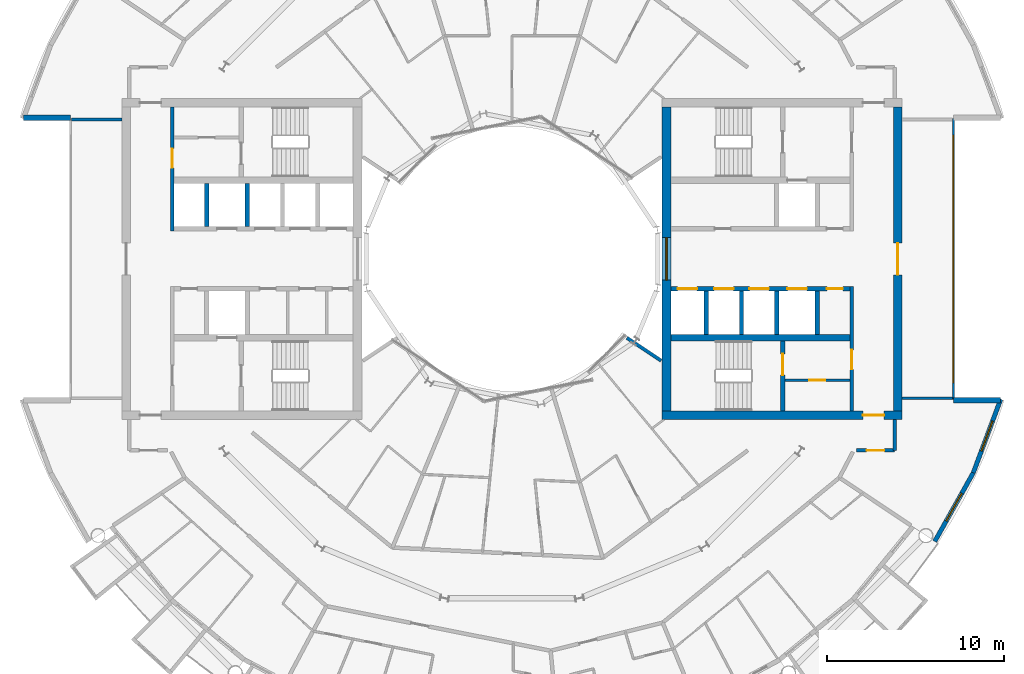
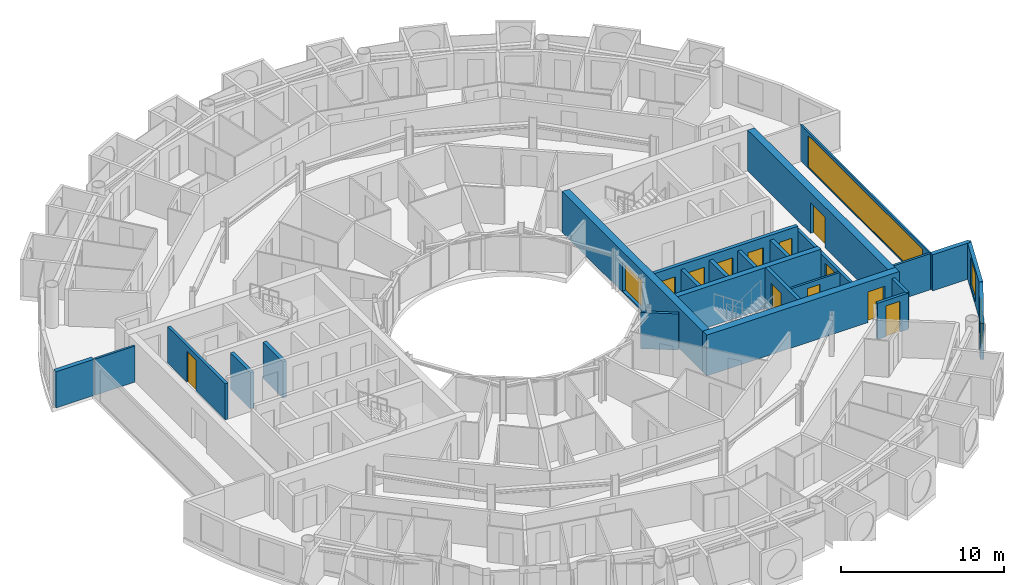
# One storey, part 18 of 27: 25 walls, 12 doors, 4 windows, 16 openings.
"""IFC4 building model written with IfcOpenShell, lengths in metres."""

from ifc_helpers import new_model, si_unit, direction, frame, frame_2d, origin, place, context, subcontext, project, spatial, rectangle, extrude, material, layer, layer_set, type_object, element, fill, save


model = new_model("IFC4")

# Units and contexts
model_context = context("Model", 3, precision=1e-05, world=origin(), true_north=direction((0.0, 1.0)))
body_context = subcontext(model_context, "Body", "Model", "MODEL_VIEW")
ifc_project = project(units=[si_unit("LENGTHUNIT", "METRE"), si_unit("AREAUNIT", "SQUARE_METRE"), si_unit("VOLUMEUNIT", "CUBIC_METRE"), si_unit("PLANEANGLEUNIT", "RADIAN"), si_unit("MASSUNIT", "GRAM", prefix="KILO")], contexts=[model_context])

# Site, building, storey
site_placement = place(None, origin())
site = spatial("IfcSite", under=ifc_project, at=site_placement, CompositionType="ELEMENT")
building_placement = place(site_placement, origin())
building = spatial("IfcBuilding", under=site, at=building_placement, Name="Maasbend Ring Residences", CompositionType="ELEMENT")
storey_placement = place(building_placement, frame((0.0, 0.0, 151.300048828125)))
storey = spatial("IfcBuildingStorey", under=building, at=storey_placement, Name="L43", CompositionType="ELEMENT", Elevation=151.300048828125)

# Wall, openings, doors
ifc_material_1 = material(Name="Concrete C60/75", Category="concrete")
ifc_layer_1 = layer(ifc_material_1, 0.25)
ifc_layer_set_1 = layer_set([ifc_layer_1], Name="Concrete C60/75")
wall_type_1 = type_object("IfcWallType", Name="CORE WALL 250 C60/75", PredefinedType="SHEAR", material=ifc_layer_set_1)
wall_1_placement = place(storey_placement, frame((19.14990234375, -1.699951171875, 0.0), z_axis=(0.0, 0.0, 1.0), x_axis=(-1.0, 0.0, 0.0)))
wall_1 = element("IfcWall", 1, at=wall_1_placement, inside=storey, type_object=wall_type_1, Name="L43 core E wall SPS", PredefinedType="SHEAR", context=body_context, shape_type="SweptSolid", body=[
    extrude(rectangle(XDim=10.14990234375, YDim=0.25, at=frame_2d((5.074951171875, 0.0))), origin(), (0.0, 0.0, 1.0), 3.050048828125),
])
opening_1_placement = place(wall_1_placement, frame((8.66259765625, 0.0, 0.0)))
opening_1 = element("IfcOpeningElement", 2, at=opening_1_placement, cuts=wall_1, Name="Opening LD-E4302", PredefinedType="OPENING", context=body_context, shape_type="SweptSolid", body=[
    extrude(rectangle(XDim=1.10009765625, YDim=2.300048828125, at=frame_2d((0.550048828125, 1.14990234375))), frame((0.0, 0.135009765625, 0.0), z_axis=(0.0, -1.0, 0.0), x_axis=(1.0, 0.0, 0.0)), (0.0, 0.0, 1.0), 0.27001953125),
])
opening_2_placement = place(wall_1_placement, frame((6.60009765625, 0.0, 0.0)))
opening_2 = element("IfcOpeningElement", 3, at=opening_2_placement, cuts=wall_1, Name="Opening LD-E4303", PredefinedType="OPENING", context=body_context, shape_type="SweptSolid", body=[
    extrude(rectangle(XDim=1.10009765625, YDim=2.300048828125, at=frame_2d((0.550048828125, 1.14990234375))), frame((0.0, 0.135009765625, 0.0), z_axis=(0.0, -1.0, 0.0), x_axis=(1.0, 0.0, 0.0)), (0.0, 0.0, 1.0), 0.27001953125),
])
opening_3_placement = place(wall_1_placement, frame((4.60009765625, 0.0, 0.0)))
opening_3 = element("IfcOpeningElement", 4, at=opening_3_placement, cuts=wall_1, Name="Opening LD-E4304", PredefinedType="OPENING", context=body_context, shape_type="SweptSolid", body=[
    extrude(rectangle(XDim=1.10009765625, YDim=2.300048828125, at=frame_2d((0.550048828125, 1.14990234375))), frame((0.0, 0.135009765625, 0.0), z_axis=(0.0, -1.0, 0.0), x_axis=(1.0, 0.0, 0.0)), (0.0, 0.0, 1.0), 0.27001953125),
])
opening_4_placement = place(wall_1_placement, frame((2.449951171875, 0.0, 0.0)))
opening_4 = element("IfcOpeningElement", 5, at=opening_4_placement, cuts=wall_1, Name="Opening LD-E4305", PredefinedType="OPENING", context=body_context, shape_type="SweptSolid", body=[
    extrude(rectangle(XDim=1.10009765625, YDim=2.300048828125, at=frame_2d((0.550048828125, 1.14990234375))), frame((0.0, 0.135009765625, 0.0), z_axis=(0.0, -1.0, 0.0), x_axis=(1.0, 0.0, 0.0)), (0.0, 0.0, 1.0), 0.27001953125),
])
opening_5_placement = place(wall_1_placement, frame((0.41259765625, 0.0, 0.0)))
opening_5 = element("IfcOpeningElement", 6, at=opening_5_placement, cuts=wall_1, Name="Opening D-E4308", PredefinedType="OPENING", context=body_context, shape_type="SweptSolid", body=[
    extrude(rectangle(XDim=0.89990234375, YDim=2.300048828125, at=frame_2d((0.449951171875, 1.14990234375))), frame((0.0, 0.135009765625, 0.0), z_axis=(0.0, -1.0, 0.0), x_axis=(1.0, 0.0, 0.0)), (0.0, 0.0, 1.0), 0.27001953125),
])
ifc_material_2 = material(Name="Stainless steel 316", Category="steel")
door_type_1 = type_object("IfcDoorType", Name="LANDING DOOR 1100 X 2300 FD60", OperationType="DOUBLE_DOOR_SLIDING", PredefinedType="DOOR", material=ifc_material_2)
door_1_placement = place(opening_1_placement, origin())
door_1 = element("IfcDoor", 7, at=door_1_placement, inside=storey, type_object=door_type_1, Name="Landing door HR-E1 L43", OperationType="DOUBLE_DOOR_SLIDING", OverallHeight=2.300048828125, OverallWidth=1.10009765625, PredefinedType="DOOR", context=body_context, shape_type="SweptSolid", body=[
    extrude(rectangle(XDim=1.10009765625, YDim=2.300048828125, at=frame_2d((0.550048828125, 1.14990234375))), frame((0.0, 0.02490234375, 0.0), z_axis=(0.0, -1.0, 0.0), x_axis=(1.0, 0.0, 0.0)), (0.0, 0.0, 1.0), 0.050048828125),
])
fill(opening_1, door_1)
door_2_placement = place(opening_2_placement, origin())
door_2 = element("IfcDoor", 8, at=door_2_placement, inside=storey, type_object=door_type_1, Name="Landing door HR-E2 L43", OperationType="DOUBLE_DOOR_SLIDING", OverallHeight=2.300048828125, OverallWidth=1.10009765625, PredefinedType="DOOR", context=body_context, shape_type="SweptSolid", body=[
    extrude(rectangle(XDim=1.10009765625, YDim=2.300048828125, at=frame_2d((0.550048828125, 1.14990234375))), frame((0.0, 0.02490234375, 0.0), z_axis=(0.0, -1.0, 0.0), x_axis=(1.0, 0.0, 0.0)), (0.0, 0.0, 1.0), 0.050048828125),
])
fill(opening_2, door_2)
door_3_placement = place(opening_3_placement, origin())
door_3 = element("IfcDoor", 9, at=door_3_placement, inside=storey, type_object=door_type_1, Name="Landing door HR-E3 L43", OperationType="DOUBLE_DOOR_SLIDING", OverallHeight=2.300048828125, OverallWidth=1.10009765625, PredefinedType="DOOR", context=body_context, shape_type="SweptSolid", body=[
    extrude(rectangle(XDim=1.10009765625, YDim=2.300048828125, at=frame_2d((0.550048828125, 1.14990234375))), frame((0.0, 0.02490234375, 0.0), z_axis=(0.0, -1.0, 0.0), x_axis=(1.0, 0.0, 0.0)), (0.0, 0.0, 1.0), 0.050048828125),
])
fill(opening_3, door_3)
door_4_placement = place(opening_4_placement, origin())
door_4 = element("IfcDoor", 10, at=door_4_placement, inside=storey, type_object=door_type_1, Name="Landing door SV-E L43", OperationType="DOUBLE_DOOR_SLIDING", OverallHeight=2.300048828125, OverallWidth=1.10009765625, PredefinedType="DOOR", context=body_context, shape_type="SweptSolid", body=[
    extrude(rectangle(XDim=1.10009765625, YDim=2.300048828125, at=frame_2d((0.550048828125, 1.14990234375))), frame((0.0, 0.02490234375, 0.0), z_axis=(0.0, -1.0, 0.0), x_axis=(1.0, 0.0, 0.0)), (0.0, 0.0, 1.0), 0.050048828125),
])
fill(opening_4, door_4)
ifc_material_3 = material(Name="Steel, powder coated", Category="steel")
door_type_2 = type_object("IfcDoorType", Name="ROOM DOOR 900 X 2300 FD30S", OperationType="NOTDEFINED", PredefinedType="DOOR", material=ifc_material_3)
door_5_placement = place(opening_5_placement, origin())
door_5 = element("IfcDoor", 11, at=door_5_placement, inside=storey, type_object=door_type_2, Name="Room door L43", OperationType="SINGLE_SWING_RIGHT", OverallHeight=2.300048828125, OverallWidth=0.89990234375, PredefinedType="DOOR", context=body_context, shape_type="SweptSolid", body=[
    extrude(rectangle(XDim=0.89990234375, YDim=2.300048828125, at=frame_2d((0.449951171875, 1.14990234375))), frame((0.0, 0.02490234375, 0.0), z_axis=(0.0, -1.0, 0.0), x_axis=(1.0, 0.0, 0.0)), (0.0, 0.0, 1.0), 0.050048828125),
])
fill(opening_5, door_5)

# Wall, opening, door
wall_2_placement = place(storey_placement, frame((15.324951171875, -8.60009765625, 0.0), z_axis=(0.0, 0.0, 1.0), x_axis=(0.0, 1.0, 0.0)))
wall_2 = element("IfcWall", 12, at=wall_2_placement, inside=storey, type_object=wall_type_1, Name="L43 core E wall STES", PredefinedType="SHEAR", context=body_context, shape_type="SweptSolid", body=[
    extrude(rectangle(XDim=3.9501953125, YDim=0.25, at=frame_2d((1.97509765625, 0.0))), origin(), (0.0, 0.0, 1.0), 3.050048828125),
])
opening_6_placement = place(wall_2_placement, frame((2.02490234375, 0.0, 0.0)))
opening_6 = element("IfcOpeningElement", 13, at=opening_6_placement, cuts=wall_2, Name="Opening D-E4311", PredefinedType="OPENING", context=body_context, shape_type="SweptSolid", body=[
    extrude(rectangle(XDim=1.199951171875, YDim=2.300048828125, at=frame_2d((0.60009765625, 1.14990234375))), frame((0.0, 0.135009765625, 0.0), z_axis=(0.0, -1.0, 0.0), x_axis=(1.0, 0.0, 0.0)), (0.0, 0.0, 1.0), 0.27001953125),
])
ifc_material_4 = material(Name="Steel, powder coated", Category="steel")
door_type_3 = type_object("IfcDoorType", Name="STAIR DOOR 1200 X 2300 FD60", OperationType="NOTDEFINED", PredefinedType="DOOR", material=ifc_material_4)
door_6_placement = place(opening_6_placement, origin())
door_6 = element("IfcDoor", 14, at=door_6_placement, inside=storey, type_object=door_type_3, Name="Stair door ST-E L43", OperationType="SINGLE_SWING_LEFT", OverallHeight=2.300048828125, OverallWidth=1.199951171875, PredefinedType="DOOR", context=body_context, shape_type="SweptSolid", body=[
    extrude(rectangle(XDim=1.199951171875, YDim=2.300048828125, at=frame_2d((0.60009765625, 1.14990234375))), frame((0.0, 0.02490234375, 0.0), z_axis=(0.0, -1.0, 0.0), x_axis=(1.0, 0.0, 0.0)), (0.0, 0.0, 1.0), 0.050048828125),
])
fill(opening_6, door_6)

# Wall
ifc_material_5 = material(Name="Concrete C60/75", Category="concrete")
ifc_layer_2 = layer(ifc_material_5, 0.375)
ifc_layer_set_2 = layer_set([ifc_layer_2], Name="Concrete C60/75")
wall_type_2 = type_object("IfcWallType", Name="CORE WALL 375 C60/75", PredefinedType="SHEAR", material=ifc_layer_set_2)
wall_3_placement = place(storey_placement, frame((9.0, -4.46240234375, 0.0), z_axis=(0.0, 0.0, 1.0), x_axis=(1.0, 0.0, 0.0)))
element("IfcWall", 15, at=wall_3_placement, inside=storey, type_object=wall_type_2, Name="L43 core E wall BS", PredefinedType="SHEAR", context=body_context, shape_type="SweptSolid", body=[
    extrude(rectangle(XDim=10.14990234375, YDim=0.375, at=frame_2d((5.074951171875, 0.0))), origin(), (0.0, 0.0, 1.0), 3.050048828125),
])

# Wall, opening, door
ifc_material_6 = material(Name="Concrete C60/75", Category="concrete")
ifc_layer_3 = layer(ifc_material_6, 0.5)
ifc_layer_set_3 = layer_set([ifc_layer_3], Name="Concrete C60/75")
wall_type_3 = type_object("IfcWallType", Name="CORE WALL 500 C60/75", PredefinedType="SHEAR", material=ifc_layer_set_3)
wall_4_placement = place(storey_placement, frame((8.5, -8.85009765625, 0.0), z_axis=(0.0, 0.0, 1.0), x_axis=(1.0, 0.0, 0.0)))
wall_4 = element("IfcWall", 16, at=wall_4_placement, inside=storey, type_object=wall_type_3, Name="L43 core E wall PS", PredefinedType="SHEAR", context=body_context, shape_type="SweptSolid", body=[
    extrude(rectangle(XDim=13.60009765625, YDim=0.5, at=frame_2d((6.800048828125, 0.0))), origin(), (0.0, 0.0, 1.0), 3.050048828125),
])
opening_7_placement = place(wall_4_placement, frame((11.375, 0.0, 0.0)))
opening_7 = element("IfcOpeningElement", 17, at=opening_7_placement, cuts=wall_4, Name="Opening D-E4315", PredefinedType="OPENING", context=body_context, shape_type="SweptSolid", body=[
    extrude(rectangle(XDim=1.199951171875, YDim=2.300048828125, at=frame_2d((0.60009765625, 1.14990234375))), frame((0.0, 0.260009765625, 0.0), z_axis=(0.0, -1.0, 0.0), x_axis=(1.0, 0.0, 0.0)), (0.0, 0.0, 1.0), 0.52001953125),
])
ifc_material_7 = material(Name="Steel, powder coated", Category="steel")
door_type_4 = type_object("IfcDoorType", Name="CORRIDOR DOOR 1200 X 2300 FD30S", OperationType="NOTDEFINED", PredefinedType="DOOR", material=ifc_material_7)
door_7_placement = place(opening_7_placement, origin())
door_7 = element("IfcDoor", 18, at=door_7_placement, inside=storey, type_object=door_type_4, Name="Corridor door L43", OperationType="SINGLE_SWING_LEFT", OverallHeight=2.300048828125, OverallWidth=1.199951171875, PredefinedType="DOOR", context=body_context, shape_type="SweptSolid", body=[
    extrude(rectangle(XDim=1.199951171875, YDim=2.300048828125, at=frame_2d((0.60009765625, 1.14990234375))), frame((0.0, 0.02490234375, 0.0), z_axis=(0.0, -1.0, 0.0), x_axis=(1.0, 0.0, 0.0)), (0.0, 0.0, 1.0), 0.050048828125),
])
fill(opening_7, door_7)

wall_5_placement = place(storey_placement, frame((21.85009765625, 8.60009765625, 0.0), z_axis=(0.0, 0.0, 1.0), x_axis=(0.0, -1.0, 0.0)))
wall_5 = element("IfcWall", 19, at=wall_5_placement, inside=storey, type_object=wall_type_3, Name="L43 core E wall POUT", PredefinedType="SHEAR", context=body_context, shape_type="SweptSolid", body=[
    extrude(rectangle(XDim=17.2001953125, YDim=0.5, at=frame_2d((8.60009765625, 0.0))), origin(), (0.0, 0.0, 1.0), 3.050048828125),
])
opening_8_placement = place(wall_5_placement, frame((7.699951171875, 0.0, 0.0)))
opening_8 = element("IfcOpeningElement", 20, at=opening_8_placement, cuts=wall_5, Name="Opening D-E4316", PredefinedType="OPENING", context=body_context, shape_type="SweptSolid", body=[
    extrude(rectangle(XDim=1.800048828125, YDim=2.300048828125, at=frame_2d((0.89990234375, 1.14990234375))), frame((0.0, 0.260009765625, 0.0), z_axis=(0.0, -1.0, 0.0), x_axis=(1.0, 0.0, 0.0)), (0.0, 0.0, 1.0), 0.52001953125),
])
ifc_material_8 = material(Name="Aluminium frame, clear glass", Category="aluminium")
door_type_5 = type_object("IfcDoorType", Name="ENTRANCE DOOR 1800 X 2300 FD60", OperationType="NOTDEFINED", PredefinedType="DOOR", material=ifc_material_8)
door_8_placement = place(opening_8_placement, origin())
door_8 = element("IfcDoor", 21, at=door_8_placement, inside=storey, type_object=door_type_5, Name="Lobby glazed door L43", OperationType="SINGLE_SWING_LEFT", OverallHeight=2.300048828125, OverallWidth=1.800048828125, PredefinedType="DOOR", context=body_context, shape_type="SweptSolid", body=[
    extrude(rectangle(XDim=1.800048828125, YDim=2.300048828125, at=frame_2d((0.89990234375, 1.14990234375))), frame((0.0, 0.02490234375, 0.0), z_axis=(0.0, -1.0, 0.0), x_axis=(1.0, 0.0, 0.0)), (0.0, 0.0, 1.0), 0.050048828125),
])
fill(opening_8, door_8)

# Wall, opening, window
wall_6_placement = place(storey_placement, frame((8.75, -8.60009765625, 0.0), z_axis=(0.0, 0.0, 1.0), x_axis=(0.0, 1.0, 0.0)))
wall_6 = element("IfcWall", 22, at=wall_6_placement, inside=storey, type_object=wall_type_3, Name="L43 core E wall PIN", PredefinedType="SHEAR", context=body_context, shape_type="SweptSolid", body=[
    extrude(rectangle(XDim=17.2001953125, YDim=0.5, at=frame_2d((8.60009765625, 0.0))), origin(), (0.0, 0.0, 1.0), 3.050048828125),
])
opening_9_placement = place(wall_6_placement, frame((7.39990234375, 0.0, 0.10009765625)))
opening_9 = element("IfcOpeningElement", 23, at=opening_9_placement, cuts=wall_6, Name="Opening W-E4301", PredefinedType="OPENING", context=body_context, shape_type="SweptSolid", body=[
    extrude(rectangle(XDim=2.39990234375, YDim=2.199951171875, at=frame_2d((1.199951171875, 1.10009765625))), frame((0.0, 0.260009765625, 0.0), z_axis=(0.0, -1.0, 0.0), x_axis=(1.0, 0.0, 0.0)), (0.0, 0.0, 1.0), 0.52001953125),
])
ifc_material_9 = material(Name="Aluminium frame and clear glass", Category="aluminium")
window_type_1 = type_object("IfcWindowType", Name="FIXED WINDOW 2400 X 2200", PartitioningType="SINGLE_PANEL", PredefinedType="WINDOW", material=ifc_material_9)
window_1_placement = place(opening_9_placement, origin())
window_1 = element("IfcWindow", 24, at=window_1_placement, inside=storey, type_object=window_type_1, Name="Lobby window L43", OverallHeight=2.199951171875, OverallWidth=2.39990234375, PartitioningType="SINGLE_PANEL", PredefinedType="WINDOW", context=body_context, shape_type="SweptSolid", body=[
    extrude(rectangle(XDim=2.39990234375, YDim=2.199951171875, at=frame_2d((1.199951171875, 1.10009765625))), frame((0.0, 0.030029296875, 0.0), z_axis=(0.0, -1.0, 0.0), x_axis=(1.0, 0.0, 0.0)), (0.0, 0.0, 1.0), 0.06005859375),
])
fill(opening_9, window_1)

# Wall
ifc_material_10 = material(Name="Concrete C30/37", Category="concrete")
ifc_layer_4 = layer(ifc_material_10, 0.199951171875)
ifc_layer_set_4 = layer_set([ifc_layer_4], Name="Concrete C30/37")
wall_type_4 = type_object("IfcWallType", Name="CORRIDOR WALL 200 CONCRETE", PredefinedType="PARTITIONING", material=ifc_layer_set_4)
wall_7_placement = place(storey_placement, frame((21.675048828125, -10.85009765625, 0.0), z_axis=(0.0, 0.0, 1.0), x_axis=(0.0, 1.0, 0.0)))
element("IfcWall", 25, at=wall_7_placement, inside=storey, type_object=wall_type_4, Name="U-L43-w012", PredefinedType="PARTITIONING", context=body_context, shape_type="SweptSolid", body=[
    extrude(rectangle(XDim=1.75, YDim=0.199951171875, at=frame_2d((0.875, 0.0))), origin(), (0.0, 0.0, 1.0), 2.699951171875),
])

# Wall, opening, door
wall_8_placement = place(storey_placement, frame((19.50390625, -10.85009765625, 0.0), z_axis=(0.0, 0.0, 1.0), x_axis=(1.0, 0.0, 0.0)))
wall_8 = element("IfcWall", 26, at=wall_8_placement, inside=storey, type_object=wall_type_4, Name="U-L43-w027", PredefinedType="PARTITIONING", context=body_context, shape_type="SweptSolid", body=[
    extrude(rectangle(XDim=2.171142578125, YDim=0.199951171875, at=frame_2d((1.08544921875, 0.0))), origin(), (0.0, 0.0, 1.0), 2.699951171875),
])
opening_10_placement = place(wall_8_placement, frame((0.5849609375, 0.0, 0.0)))
opening_10 = element("IfcOpeningElement", 27, at=opening_10_placement, cuts=wall_8, Name="Opening D-4366", PredefinedType="OPENING", context=body_context, shape_type="SweptSolid", body=[
    extrude(rectangle(XDim=1.0, YDim=2.300048828125, at=frame_2d((0.5, 1.14990234375))), frame((0.0, 0.10986328125, 0.0), z_axis=(0.0, -1.0, 0.0), x_axis=(1.0, 0.0, 0.0)), (0.0, 0.0, 1.0), 0.219970703125),
])
ifc_material_11 = material(Name="Timber, painted", Category="wood")
door_type_6 = type_object("IfcDoorType", Name="ROOM DOOR 1000 X 2300", OperationType="NOTDEFINED", PredefinedType="DOOR", material=ifc_material_11)
door_9_placement = place(opening_10_placement, origin())
door_9 = element("IfcDoor", 28, at=door_9_placement, inside=storey, type_object=door_type_6, Name="D-4366", OperationType="SINGLE_SWING_LEFT", OverallHeight=2.300048828125, OverallWidth=1.0, PredefinedType="DOOR", context=body_context, shape_type="SweptSolid", body=[
    extrude(rectangle(XDim=1.0, YDim=2.300048828125, at=frame_2d((0.5, 1.14990234375))), frame((0.0, 0.02490234375, 0.0), z_axis=(0.0, -1.0, 0.0), x_axis=(1.0, 0.0, 0.0)), (0.0, 0.0, 1.0), 0.050048828125),
])
fill(opening_10, door_9)

# Wall, opening, window
ifc_material_12 = material(Name="Aluminium clad insulated panel", Category="aluminium")
ifc_layer_5 = layer(ifc_material_12, 0.25)
ifc_layer_set_5 = layer_set([ifc_layer_5], Name="EW-HORN")
wall_type_5 = type_object("IfcWallType", Name="EW-HORN", PredefinedType="SOLIDWALL", material=ifc_layer_set_5)
wall_9_placement = place(storey_placement, frame((23.946044921875, -16.0, 0.0), z_axis=(0.0, 0.0, 1.0), x_axis=(0.489696356642, 0.871893042919, 0.0)))
wall_9 = element("IfcWall", 29, at=wall_9_placement, inside=storey, type_object=wall_type_5, Name="Horn wall 2.1", PredefinedType="SOLIDWALL", context=body_context, shape_type="SweptSolid", body=[
    extrude(rectangle(XDim=4.45361328125, YDim=0.25, at=frame_2d((2.226806640625, 0.0))), origin(), (0.0, 0.0, 1.0), 2.699951171875),
])
opening_11_placement = place(wall_9_placement, frame((1.32666015625, 0.0, 0.300048828125)))
opening_11 = element("IfcOpeningElement", 30, at=opening_11_placement, cuts=wall_9, Name="Opening W-BX", PredefinedType="OPENING", context=body_context, shape_type="SweptSolid", body=[
    extrude(rectangle(XDim=1.800048828125, YDim=2.10009765625, at=frame_2d((0.89990234375, 1.050048828125))), frame((0.0, 0.135009765625, 0.0), z_axis=(0.0, -1.0, 0.0), x_axis=(1.0, 0.0, 0.0)), (0.0, 0.0, 1.0), 0.27001953125),
])
ifc_material_13 = material(Name="Aluminium and clear glass", Category="aluminium")
window_type_2 = type_object("IfcWindowType", Name="W-BX", PartitioningType="DOUBLE_PANEL_VERTICAL", PredefinedType="WINDOW", material=ifc_material_13)
window_2_placement = place(opening_11_placement, origin())
window_2 = element("IfcWindow", 31, at=window_2_placement, inside=storey, type_object=window_type_2, Name="Horn window 2.1", OverallHeight=2.10009765625, OverallWidth=1.800048828125, PartitioningType="SINGLE_PANEL", PredefinedType="WINDOW", context=body_context, shape_type="SweptSolid", body=[
    extrude(rectangle(XDim=1.800048828125, YDim=2.10009765625, at=frame_2d((0.89990234375, 1.050048828125))), frame((0.0, 0.030029296875, 0.0), z_axis=(0.0, -1.0, 0.0), x_axis=(1.0, 0.0, 0.0)), (0.0, 0.0, 1.0), 0.06005859375),
])
fill(opening_11, window_2)

wall_10_placement = place(storey_placement, frame((26.126953125, -12.116943359375, 0.0), z_axis=(0.0, 0.0, 1.0), x_axis=(0.349247811493, 0.937030397675, 0.0)))
wall_10 = element("IfcWall", 32, at=wall_10_placement, inside=storey, type_object=wall_type_5, Name="Horn wall 2.2", PredefinedType="SOLIDWALL", context=body_context, shape_type="SweptSolid", body=[
    extrude(rectangle(XDim=4.4521484375, YDim=0.25, at=frame_2d((2.22607421875, 0.0))), origin(), (0.0, 0.0, 1.0), 2.699951171875),
])
opening_12_placement = place(wall_10_placement, frame((1.32666015625, 0.0, 0.300048828125)))
opening_12 = element("IfcOpeningElement", 33, at=opening_12_placement, cuts=wall_10, Name="Opening W-BX", PredefinedType="OPENING", context=body_context, shape_type="SweptSolid", body=[
    extrude(rectangle(XDim=1.800048828125, YDim=2.10009765625, at=frame_2d((0.89990234375, 1.050048828125))), frame((0.0, 0.135009765625, 0.0), z_axis=(0.0, -1.0, 0.0), x_axis=(1.0, 0.0, 0.0)), (0.0, 0.0, 1.0), 0.27001953125),
])
window_3_placement = place(opening_12_placement, origin())
window_3 = element("IfcWindow", 34, at=window_3_placement, inside=storey, type_object=window_type_2, Name="Horn window 2.2", OverallHeight=2.10009765625, OverallWidth=1.800048828125, PartitioningType="SINGLE_PANEL", PredefinedType="WINDOW", context=body_context, shape_type="SweptSolid", body=[
    extrude(rectangle(XDim=1.800048828125, YDim=2.10009765625, at=frame_2d((0.89990234375, 1.050048828125))), frame((0.0, 0.030029296875, 0.0), z_axis=(0.0, -1.0, 0.0), x_axis=(1.0, 0.0, 0.0)), (0.0, 0.0, 1.0), 0.06005859375),
])
fill(opening_12, window_3)

# Walls
ifc_material_14 = material(Name="Aluminium clad insulated panel", Category="aluminium")
ifc_layer_6 = layer(ifc_material_14, 0.300048828125)
ifc_layer_set_6 = layer_set([ifc_layer_6], Name="EW-RET")
wall_type_6 = type_object("IfcWallType", Name="EW-RET", PredefinedType="SOLIDWALL", material=ifc_layer_set_6)
for number, where, z_axis, x_axis, name in (
    (35, (25.0, -8.0, 0.0), (0.0, 0.0, 1.0), (1.0, 0.0, 0.0), "Notch return wall east south"),
    (36, (-25.0, 8.0, 0.0), (0.0, 0.0, 1.0), (-1.0, 0.0, 0.0), "Notch return wall west north"),
):
    element("IfcWall", number, at=place(storey_placement, frame(where, z_axis=z_axis, x_axis=x_axis)), inside=storey, type_object=wall_type_6, Name=name, PredefinedType="SOLIDWALL", context=body_context, shape_type="SweptSolid", body=[
        extrude(rectangle(XDim=2.6669921875, YDim=0.300048828125, at=frame_2d((1.33349609375, 0.0))), origin(), (0.0, 0.0, 1.0), 2.699951171875),
    ])

# Wall, opening, window
ifc_material_15 = material(Name="Aluminium frame and clear glass", Category="aluminium")
ifc_layer_7 = layer(ifc_material_15, 0.1201171875)
ifc_layer_set_7 = layer_set([ifc_layer_7], Name="GLAZED SCREEN WALL 120 EI 60")
wall_type_7 = type_object("IfcWallType", Name="GLAZED SCREEN WALL 120 EI 60", PredefinedType="PARTITIONING", material=ifc_layer_set_7)
wall_11_placement = place(storey_placement, frame((25.0, -7.949951171875, 0.0), z_axis=(0.0, 0.0, 1.0), x_axis=(0.0, 1.0, 0.0)))
wall_11 = element("IfcWall", 37, at=wall_11_placement, inside=storey, type_object=wall_type_7, Name="L43 core E wall FACE", PredefinedType="PARTITIONING", context=body_context, shape_type="SweptSolid", body=[
    extrude(rectangle(XDim=15.89990234375, YDim=0.1201171875, at=frame_2d((7.949951171875, 0.0))), origin(), (0.0, 0.0, 1.0), 2.699951171875),
])
opening_13_placement = place(wall_11_placement, frame((0.949951171875, 0.0, 0.10009765625)))
opening_13 = element("IfcOpeningElement", 38, at=opening_13_placement, cuts=wall_11, Name="Opening W-E4302", PredefinedType="OPENING", context=body_context, shape_type="SweptSolid", body=[
    extrude(rectangle(XDim=14.0, YDim=2.35009765625, at=frame_2d((7.0, 1.175048828125))), frame((0.0, 0.070068359375, 0.0), z_axis=(0.0, -1.0, 0.0), x_axis=(1.0, 0.0, 0.0)), (0.0, 0.0, 1.0), 0.14013671875),
])
ifc_material_16 = material(Name="Aluminium frame and clear glass", Category="aluminium")
window_type_3 = type_object("IfcWindowType", Name="FIXED WINDOW 14000 X 2350", PartitioningType="SINGLE_PANEL", PredefinedType="WINDOW", material=ifc_material_16)
window_4_placement = place(opening_13_placement, origin())
window_4 = element("IfcWindow", 39, at=window_4_placement, inside=storey, type_object=window_type_3, Name="Lobby window L43", OverallHeight=2.35009765625, OverallWidth=14.0, PartitioningType="SINGLE_PANEL", PredefinedType="WINDOW", context=body_context, shape_type="SweptSolid", body=[
    extrude(rectangle(XDim=14.0, YDim=2.35009765625, at=frame_2d((7.0, 1.175048828125))), frame((0.0, 0.030029296875, 0.0), z_axis=(0.0, -1.0, 0.0), x_axis=(1.0, 0.0, 0.0)), (0.0, 0.0, 1.0), 0.06005859375),
])
fill(opening_13, window_4)

# Wall, opening, door
ifc_material_17 = material(Name="Gypsum board on steel studs", Category="steel")
ifc_layer_8 = layer(ifc_material_17, 0.14990234375)
ifc_layer_set_8 = layer_set([ifc_layer_8], Name="PARTITION 150 EI 60")
wall_type_8 = type_object("IfcWallType", Name="PARTITION 150 EI 60", PredefinedType="PARTITIONING", material=ifc_layer_set_8)
wall_12_placement = place(storey_placement, frame((15.449951171875, -6.875, 0.0), z_axis=(0.0, 0.0, 1.0), x_axis=(1.0, 0.0, 0.0)))
wall_12 = element("IfcWall", 40, at=wall_12_placement, inside=storey, type_object=wall_type_8, Name="L43 core E wall RHS", PredefinedType="PARTITIONING", context=body_context, shape_type="SweptSolid", body=[
    extrude(rectangle(XDim=3.699951171875, YDim=0.14990234375, at=frame_2d((1.85009765625, 0.0))), origin(), (0.0, 0.0, 1.0), 2.699951171875),
])
opening_14_placement = place(wall_12_placement, frame((1.39990234375, 0.0, 0.0)))
opening_14 = element("IfcOpeningElement", 41, at=opening_14_placement, cuts=wall_12, Name="Opening D-E4309", PredefinedType="OPENING", context=body_context, shape_type="SweptSolid", body=[
    extrude(rectangle(XDim=0.89990234375, YDim=2.300048828125, at=frame_2d((0.449951171875, 1.14990234375))), frame((0.0, 0.0849609375, 0.0), z_axis=(0.0, -1.0, 0.0), x_axis=(1.0, 0.0, 0.0)), (0.0, 0.0, 1.0), 0.169921875),
])
ifc_material_18 = material(Name="Steel, powder coated", Category="steel")
door_type_7 = type_object("IfcDoorType", Name="RISER DOOR 900 X 2300 FD60", OperationType="NOTDEFINED", PredefinedType="DOOR", material=ifc_material_18)
door_10_placement = place(opening_14_placement, origin())
door_10 = element("IfcDoor", 42, at=door_10_placement, inside=storey, type_object=door_type_7, Name="Riser door L43", OperationType="SINGLE_SWING_LEFT", OverallHeight=2.300048828125, OverallWidth=0.89990234375, PredefinedType="DOOR", context=body_context, shape_type="SweptSolid", body=[
    extrude(rectangle(XDim=0.89990234375, YDim=2.300048828125, at=frame_2d((0.449951171875, 1.14990234375))), frame((0.0, 0.02490234375, 0.0), z_axis=(0.0, -1.0, 0.0), x_axis=(1.0, 0.0, 0.0)), (0.0, 0.0, 1.0), 0.050048828125),
])
fill(opening_14, door_10)

# Walls
for number, where, z_axis, x_axis, name in (
    (43, (22.10009765625, -7.89990234375, 0.0), (0.0, 0.0, 1.0), (1.0, 0.0, 0.0), "L43 core E wall CITS"),
    (44, (-22.10009765625, 7.89990234375, 0.0), (0.0, 0.0, 1.0), (-1.0, 0.0, 0.0), "L43 core W wall CITS"),
):
    element("IfcWall", number, at=place(storey_placement, frame(where, z_axis=z_axis, x_axis=x_axis)), inside=storey, type_object=wall_type_8, Name=name, PredefinedType="PARTITIONING", context=body_context, shape_type="SweptSolid", body=[
        extrude(rectangle(XDim=2.83984375, YDim=0.14990234375, at=frame_2d((1.419921875, 0.0))), origin(), (0.0, 0.0, 1.0), 2.699951171875),
    ])
ifc_material_19 = material(Name="Concrete C30/37", Category="concrete")
ifc_layer_9 = layer(ifc_material_19, 0.199951171875)
ifc_layer_set_9 = layer_set([ifc_layer_9], Name="Concrete C30/37")
wall_type_9 = type_object("IfcWallType", Name="PARTY WALL 200 CONCRETE", PredefinedType="PARTITIONING", material=ifc_layer_set_9)
wall_13_placement = place(storey_placement, frame((6.512939453125, -4.471923828125, 0.0), z_axis=(0.0, 0.0, 1.0), x_axis=(0.83133816625, -0.555766905579, 0.0)))
element("IfcWall", 45, at=wall_13_placement, inside=storey, type_object=wall_type_9, Name="U-L43-w029", PredefinedType="PARTITIONING", context=body_context, shape_type="SweptSolid", body=[
    extrude(rectangle(XDim=2.322998046875, YDim=0.199951171875, at=frame_2d((1.16162109375, 0.0))), origin(), (0.0, 0.0, 1.0), 2.699951171875),
])

# Wall, opening, door
ifc_material_20 = material(Name="Concrete C30/37", Category="concrete")
ifc_layer_10 = layer(ifc_material_20, 0.199951171875)
ifc_layer_set_10 = layer_set([ifc_layer_10], Name="Concrete C30/37")
wall_type_10 = type_object("IfcWallType", Name="SHAFT WALL 200 EI 120", PredefinedType="SOLIDWALL", material=ifc_layer_set_10)
wall_14_placement = place(storey_placement, frame((19.25, -8.60009765625, 0.0), z_axis=(0.0, 0.0, 1.0), x_axis=(0.0, 1.0, 0.0)))
wall_14 = element("IfcWall", 46, at=wall_14_placement, inside=storey, type_object=wall_type_10, Name="L43 core E wall ENDS", PredefinedType="SOLIDWALL", context=body_context, shape_type="SweptSolid", body=[
    extrude(rectangle(XDim=7.025146484375, YDim=0.199951171875, at=frame_2d((3.5126953125, 0.0))), origin(), (0.0, 0.0, 1.0), 2.699951171875),
])
opening_15_placement = place(wall_14_placement, frame((2.35009765625, 0.0, 0.0)))
opening_15 = element("IfcOpeningElement", 47, at=opening_15_placement, cuts=wall_14, Name="Opening D-E4313", PredefinedType="OPENING", context=body_context, shape_type="SweptSolid", body=[
    extrude(rectangle(XDim=1.10009765625, YDim=2.300048828125, at=frame_2d((0.550048828125, 1.14990234375))), frame((0.0, 0.10986328125, 0.0), z_axis=(0.0, -1.0, 0.0), x_axis=(1.0, 0.0, 0.0)), (0.0, 0.0, 1.0), 0.219970703125),
])
ifc_material_21 = material(Name="Steel, powder coated", Category="steel")
door_type_8 = type_object("IfcDoorType", Name="LOBBY DOOR 1100 X 2300 FD60", OperationType="NOTDEFINED", PredefinedType="DOOR", material=ifc_material_21)
door_11_placement = place(opening_15_placement, origin())
door_11 = element("IfcDoor", 48, at=door_11_placement, inside=storey, type_object=door_type_8, Name="Lobby door L43", OperationType="SINGLE_SWING_RIGHT", OverallHeight=2.300048828125, OverallWidth=1.10009765625, PredefinedType="DOOR", context=body_context, shape_type="SweptSolid", body=[
    extrude(rectangle(XDim=1.10009765625, YDim=2.300048828125, at=frame_2d((0.550048828125, 1.14990234375))), frame((0.0, 0.02490234375, 0.0), z_axis=(0.0, -1.0, 0.0), x_axis=(1.0, 0.0, 0.0)), (0.0, 0.0, 1.0), 0.050048828125),
])
fill(opening_15, door_11)

wall_15_placement = place(storey_placement, frame((-19.25, 8.60009765625, 0.0), z_axis=(0.0, 0.0, 1.0), x_axis=(0.0, -1.0, 0.0)))
wall_15 = element("IfcWall", 49, at=wall_15_placement, inside=storey, type_object=wall_type_10, Name="L43 core W wall ENDS", PredefinedType="SOLIDWALL", context=body_context, shape_type="SweptSolid", body=[
    extrude(rectangle(XDim=7.025146484375, YDim=0.199951171875, at=frame_2d((3.5126953125, 0.0))), origin(), (0.0, 0.0, 1.0), 2.699951171875),
])
opening_16_placement = place(wall_15_placement, frame((2.35009765625, 0.0, 0.0)))
opening_16 = element("IfcOpeningElement", 50, at=opening_16_placement, cuts=wall_15, Name="Opening D-W4314", PredefinedType="OPENING", context=body_context, shape_type="SweptSolid", body=[
    extrude(rectangle(XDim=1.10009765625, YDim=2.300048828125, at=frame_2d((0.550048828125, 1.14990234375))), frame((0.0, 0.10986328125, 0.0), z_axis=(0.0, -1.0, 0.0), x_axis=(1.0, 0.0, 0.0)), (0.0, 0.0, 1.0), 0.219970703125),
])
door_12_placement = place(opening_16_placement, origin())
door_12 = element("IfcDoor", 51, at=door_12_placement, inside=storey, type_object=door_type_8, Name="Lobby door L43", OperationType="SINGLE_SWING_RIGHT", OverallHeight=2.300048828125, OverallWidth=1.10009765625, PredefinedType="DOOR", context=body_context, shape_type="SweptSolid", body=[
    extrude(rectangle(XDim=1.10009765625, YDim=2.300048828125, at=frame_2d((0.550048828125, 1.14990234375))), frame((0.0, 0.02490234375, 0.0), z_axis=(0.0, -1.0, 0.0), x_axis=(1.0, 0.0, 0.0)), (0.0, 0.0, 1.0), 0.050048828125),
])
fill(opening_16, door_12)

# Walls
ifc_material_22 = material(Name="Concrete C30/37", Category="concrete")
ifc_layer_11 = layer(ifc_material_22, 0.25)
ifc_layer_set_11 = layer_set([ifc_layer_11], Name="Concrete C30/37")
wall_type_11 = type_object("IfcWallType", Name="SHAFT WALL 250 EI 120", PredefinedType="SOLIDWALL", material=ifc_layer_set_11)
for number, where, z_axis, x_axis, name in (
    (52, (15.0, -1.824951171875, 0.0), (0.0, 0.0, 1.0), (0.0, -1.0, 0.0), "L43 core E wall D150S"),
    (53, (17.300048828125, -1.824951171875, 0.0), (0.0, 0.0, 1.0), (0.0, -1.0, 0.0), "L43 core E wall D173S"),
    (54, (11.0, -1.824951171875, 0.0), (0.0, 0.0, 1.0), (0.0, -1.0, 0.0), "L43 core E wall D110S"),
    (55, (13.0, -1.824951171875, 0.0), (0.0, 0.0, 1.0), (0.0, -1.0, 0.0), "L43 core E wall D130S"),
    (56, (-15.0, 1.824951171875, 0.0), (0.0, 0.0, 1.0), (0.0, 1.0, 0.0), "L43 core W wall D150S"),
    (57, (-17.300048828125, 1.824951171875, 0.0), (0.0, 0.0, 1.0), (0.0, 1.0, 0.0), "L43 core W wall D173S"),
):
    element("IfcWall", number, at=place(storey_placement, frame(where, z_axis=z_axis, x_axis=x_axis)), inside=storey, type_object=wall_type_11, Name=name, PredefinedType="SOLIDWALL", context=body_context, shape_type="SweptSolid", body=[
        extrude(rectangle(XDim=2.449951171875, YDim=0.25, at=frame_2d((1.22509765625, 0.0))), origin(), (0.0, 0.0, 1.0), 2.699951171875),
    ])

save(model, "model.ifc")
